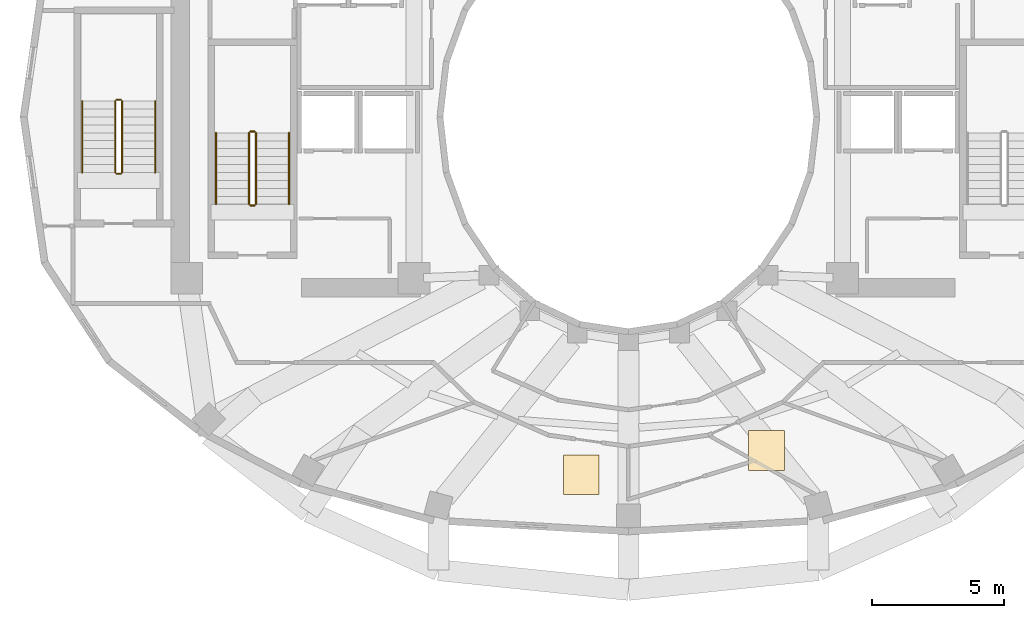
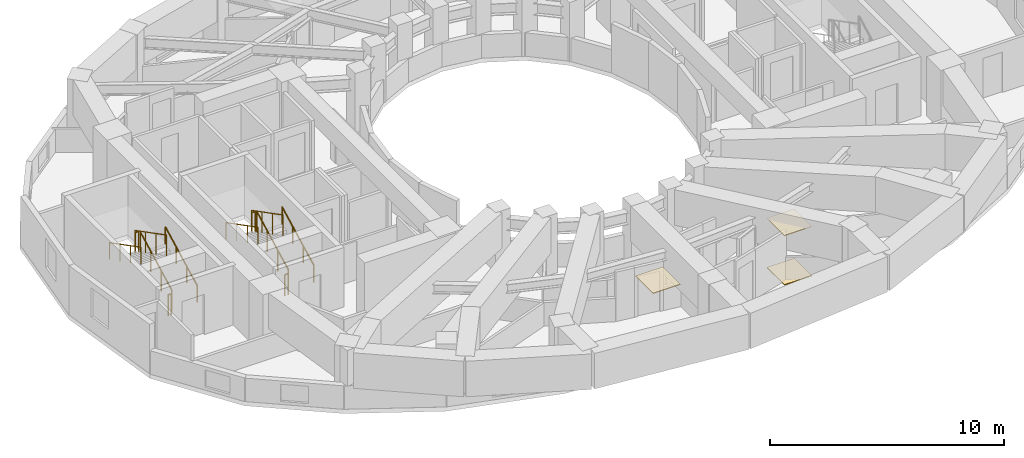
# One storey, part 8 of 9: 12 railings, 3 coverings.
"""IFC4 building model written with IfcOpenShell, lengths in metres."""

from ifc_helpers import new_model, si_unit, direction, frame, origin, origin_2d, place, context, subcontext, project, spatial, polyline, circle, outline, extrude, material, layer, layer_set, type_object, element, save


model = new_model("IFC4")

# Units and contexts
model_context = context("Model", 3, precision=1e-05, world=origin(), true_north=direction((0.0, 1.0)))
body_context = subcontext(model_context, "Body", "Model", "MODEL_VIEW")
ifc_project = project(units=[si_unit("LENGTHUNIT", "METRE"), si_unit("AREAUNIT", "SQUARE_METRE"), si_unit("VOLUMEUNIT", "CUBIC_METRE"), si_unit("PLANEANGLEUNIT", "RADIAN"), si_unit("MASSUNIT", "GRAM", prefix="KILO")], contexts=[model_context])

# Site, building, storey
site_placement = place(None, origin())
site = spatial("IfcSite", under=ifc_project, at=site_placement, CompositionType="ELEMENT")
building_placement = place(site_placement, origin())
building = spatial("IfcBuilding", under=site, at=building_placement, Name="Solvane Sanctuary Tower", CompositionType="ELEMENT")
storey_placement = place(building_placement, frame((0.0, 0.0, 168.39990234375)))
storey = spatial("IfcBuildingStorey", under=building, at=storey_placement, Name="L51", CompositionType="ELEMENT", Elevation=168.39990234375)

# Coverings
ifc_material_1 = material(Name="Acoustic Gypsum Partition Board")
ifc_layer_1 = layer(ifc_material_1, 0.02490234375, Name="Acoustic Gypsum Partition Board")
ifc_layer_set_1 = layer_set([ifc_layer_1], Name="Acoustic Gypsum Partition Board")
covering_type_1 = type_object("IfcCoveringType", Name="Covering CLG-ACOUST", PredefinedType="CEILING", material=ifc_layer_set_1)
covering_1_placement = place(storey_placement, frame((0.0, 0.0, 2.570068359375)))
element("IfcCovering", 1, at=covering_1_placement, inside=storey, type_object=covering_type_1, Name="L51 Unit Acoustic Ceiling Panel 3", PredefinedType="CEILING", context=body_context, shape_type="SweptSolid", body=[
    extrude(outline(polyline([(29.54296875, 8.717041015625), (30.89306640625, 8.717041015625), (30.89306640625, 10.217041015625), (29.54296875, 10.217041015625), (29.54296875, 8.717041015625)])), origin(), (0.0, 0.0, 1.0), 0.030029296875),
])
covering_2_placement = place(storey_placement, frame((0.0, 0.0, 2.570068359375)))
element("IfcCovering", 2, at=covering_2_placement, inside=storey, type_object=covering_type_1, Name="L51 Unit Acoustic Ceiling Panel 4", PredefinedType="CEILING", context=body_context, shape_type="SweptSolid", body=[
    extrude(outline(polyline([(36.549072265625, 9.638916015625), (37.89892578125, 9.638916015625), (37.89892578125, 11.138916015625), (36.549072265625, 11.138916015625), (36.549072265625, 9.638916015625)])), origin(), (0.0, 0.0, 1.0), 0.030029296875),
])
ifc_material_2 = material(Name="Ceramic Tile Finish")
ifc_layer_2 = layer(ifc_material_2, 0.030029296875, Name="Ceramic Tile Finish")
ifc_layer_set_2 = layer_set([ifc_layer_2], Name="Ceramic Tile Finish")
covering_type_2 = type_object("IfcCoveringType", Name="Covering FLR-TERRAZZO", PredefinedType="FLOORING", material=ifc_layer_set_2)
covering_3_placement = place(storey_placement, origin())
element("IfcCovering", 3, at=covering_3_placement, inside=storey, type_object=covering_type_2, Name="L51 Unit Terrazzo Inlay 4", PredefinedType="FLOORING", context=body_context, shape_type="SweptSolid", body=[
    extrude(outline(polyline([(36.549072265625, 9.638916015625), (37.89892578125, 9.638916015625), (37.89892578125, 11.138916015625), (36.549072265625, 11.138916015625), (36.549072265625, 9.638916015625)])), origin(), (0.0, 0.0, 1.0), 0.03515625),
])

# Railings
ifc_material_3 = material(Name="Architectural Stainless Steel 316", Category="steel")
railing_type_1 = type_object("IfcRailingType", Name="Railing GR-BALC-1150", PredefinedType="BALUSTRADE", material=ifc_material_3)
railing_1_placement = place(storey_placement, frame((17.919921875, 19.699951171875, 0.155029296875)))
element("IfcRailing", 4, at=railing_1_placement, inside=storey, type_object=railing_type_1, Name="L51 ST-1 stair guard 1", PredefinedType="BALUSTRADE", context=body_context, shape_type="SweptSolid", body=[
    extrude(circle(Radius=0.02392578125, at=origin_2d()), frame((0.0, 0.0, 1.076171875), z_axis=(0.0, 0.888419900624, 0.459031676658), x_axis=(-1.0, 0.0, 0.0)), (0.0, 0.0, 1.0), 3.0390625),
    extrude(circle(Radius=0.02099609375, at=origin_2d()), origin(), (0.0, 0.0, 1.0), 1.052001953125),
    extrude(circle(Radius=0.02099609375, at=origin_2d()), frame((0.0, 0.89990234375, 0.465087890625)), (0.0, 0.0, 1.0), 1.052001953125),
    extrude(circle(Radius=0.02099609375, at=origin_2d()), frame((0.0, 1.800048828125, 0.929931640625)), (0.0, 0.0, 1.0), 1.052001953125),
    extrude(circle(Radius=0.02099609375, at=origin_2d()), frame((0.0, 2.699951171875, 1.39501953125)), (0.0, 0.0, 1.0), 1.052001953125),
])
railing_2_placement = place(storey_placement, frame((17.8701171875, 22.449951171875, 1.550048828125)))
element("IfcRailing", 5, at=railing_2_placement, inside=storey, type_object=railing_type_1, Name="L51 ST-1 stair guard 2", PredefinedType="BALUSTRADE", context=body_context, shape_type="SweptSolid", body=[
    extrude(circle(Radius=0.02392578125, at=origin_2d()), frame((0.0, 0.0, 1.076171875), z_axis=(-1.0, 0.0, 0.0), x_axis=(0.0, -1.0, 0.0)), (0.0, 0.0, 1.0), 0.16015625),
    extrude(circle(Radius=0.02099609375, at=origin_2d()), origin(), (0.0, 0.0, 1.0), 1.052001953125),
    extrude(circle(Radius=0.02099609375, at=origin_2d()), frame((-0.16015625, 0.0, 0.0)), (0.0, 0.0, 1.0), 1.052001953125),
])
railing_3_placement = place(storey_placement, frame((17.659912109375, 22.39990234375, 1.705078125)))
element("IfcRailing", 6, at=railing_3_placement, inside=storey, type_object=railing_type_1, Name="L51 ST-1 stair guard 3", PredefinedType="BALUSTRADE", context=body_context, shape_type="SweptSolid", body=[
    extrude(circle(Radius=0.02392578125, at=origin_2d()), frame((0.0, 0.0, 1.076171875), z_axis=(0.0, -0.888419900624, 0.459031676658), x_axis=(1.0, 0.0, 0.0)), (0.0, 0.0, 1.0), 3.0390625),
    extrude(circle(Radius=0.02099609375, at=origin_2d()), origin(), (0.0, 0.0, 1.0), 1.052001953125),
    extrude(circle(Radius=0.02099609375, at=origin_2d()), frame((0.0, -0.89990234375, 0.465087890625)), (0.0, 0.0, 1.0), 1.052001953125),
    extrude(circle(Radius=0.02099609375, at=origin_2d()), frame((0.0, -1.800048828125, 0.929931640625)), (0.0, 0.0, 1.0), 1.052001953125),
    extrude(circle(Radius=0.02099609375, at=origin_2d()), frame((0.0, -2.699951171875, 1.39501953125)), (0.0, 0.0, 1.0), 1.052001953125),
])
railing_4_placement = place(storey_placement, frame((17.8701171875, 19.64990234375, 0.0)))
element("IfcRailing", 7, at=railing_4_placement, inside=storey, type_object=railing_type_1, Name="L51 ST-1 stair guard 4", PredefinedType="BALUSTRADE", context=body_context, shape_type="SweptSolid", body=[
    extrude(circle(Radius=0.02392578125, at=origin_2d()), frame((0.0, 0.0, 1.076171875), z_axis=(-1.0, 0.0, 0.0), x_axis=(0.0, -1.0, 0.0)), (0.0, 0.0, 1.0), 0.16015625),
    extrude(circle(Radius=0.02099609375, at=origin_2d()), origin(), (0.0, 0.0, 1.0), 1.052001953125),
    extrude(circle(Radius=0.02099609375, at=origin_2d()), frame((-0.16015625, 0.0, 0.0)), (0.0, 0.0, 1.0), 1.052001953125),
])
railing_5_placement = place(storey_placement, frame((12.860107421875, 20.89990234375, 0.155029296875)))
element("IfcRailing", 8, at=railing_5_placement, inside=storey, type_object=railing_type_1, Name="L51 ST-3 stair guard 1", PredefinedType="BALUSTRADE", context=body_context, shape_type="SweptSolid", body=[
    extrude(circle(Radius=0.02392578125, at=origin_2d()), frame((0.0, 0.0, 1.076171875), z_axis=(0.0, 0.888436826113, 0.458998917216), x_axis=(-1.0, 0.0, 0.0)), (0.0, 0.0, 1.0), 3.039306640625),
    extrude(circle(Radius=0.02099609375, at=origin_2d()), origin(), (0.0, 0.0, 1.0), 1.052001953125),
    extrude(circle(Radius=0.02099609375, at=origin_2d()), frame((0.0, 0.900146484375, 0.465087890625)), (0.0, 0.0, 1.0), 1.052001953125),
    extrude(circle(Radius=0.02099609375, at=origin_2d()), frame((0.0, 1.800048828125, 0.929931640625)), (0.0, 0.0, 1.0), 1.052001953125),
    extrude(circle(Radius=0.02099609375, at=origin_2d()), frame((0.0, 2.7001953125, 1.39501953125)), (0.0, 0.0, 1.0), 1.052001953125),
])
railing_6_placement = place(storey_placement, frame((12.81005859375, 23.64990234375, 1.550048828125)))
element("IfcRailing", 9, at=railing_6_placement, inside=storey, type_object=railing_type_1, Name="L51 ST-3 stair guard 2", PredefinedType="BALUSTRADE", context=body_context, shape_type="SweptSolid", body=[
    extrude(circle(Radius=0.02392578125, at=origin_2d()), frame((0.0, 0.0, 1.076171875), z_axis=(-1.0, 0.0, 0.0), x_axis=(0.0, -1.0, 0.0)), (0.0, 0.0, 1.0), 0.16015625),
    extrude(circle(Radius=0.02099609375, at=origin_2d()), origin(), (0.0, 0.0, 1.0), 1.052001953125),
    extrude(circle(Radius=0.02099609375, at=origin_2d()), frame((-0.16015625, 0.0, 0.0)), (0.0, 0.0, 1.0), 1.052001953125),
])
railing_7_placement = place(storey_placement, frame((12.60009765625, 23.60009765625, 1.705078125)))
element("IfcRailing", 10, at=railing_7_placement, inside=storey, type_object=railing_type_1, Name="L51 ST-3 stair guard 3", PredefinedType="BALUSTRADE", context=body_context, shape_type="SweptSolid", body=[
    extrude(circle(Radius=0.02392578125, at=origin_2d()), frame((0.0, 0.0, 1.076171875), z_axis=(0.0, -0.888436826113, 0.458998917216), x_axis=(1.0, 0.0, 0.0)), (0.0, 0.0, 1.0), 3.039306640625),
    extrude(circle(Radius=0.02099609375, at=origin_2d()), origin(), (0.0, 0.0, 1.0), 1.052001953125),
    extrude(circle(Radius=0.02099609375, at=origin_2d()), frame((0.0, -0.900146484375, 0.465087890625)), (0.0, 0.0, 1.0), 1.052001953125),
    extrude(circle(Radius=0.02099609375, at=origin_2d()), frame((0.0, -1.800048828125, 0.929931640625)), (0.0, 0.0, 1.0), 1.052001953125),
    extrude(circle(Radius=0.02099609375, at=origin_2d()), frame((0.0, -2.7001953125, 1.39501953125)), (0.0, 0.0, 1.0), 1.052001953125),
])
railing_8_placement = place(storey_placement, frame((12.81005859375, 20.85009765625, 0.0)))
element("IfcRailing", 11, at=railing_8_placement, inside=storey, type_object=railing_type_1, Name="L51 ST-3 stair guard 4", PredefinedType="BALUSTRADE", context=body_context, shape_type="SweptSolid", body=[
    extrude(circle(Radius=0.02392578125, at=origin_2d()), frame((0.0, 0.0, 1.076171875), z_axis=(-1.0, 0.0, 0.0), x_axis=(0.0, -1.0, 0.0)), (0.0, 0.0, 1.0), 0.16015625),
    extrude(circle(Radius=0.02099609375, at=origin_2d()), origin(), (0.0, 0.0, 1.0), 1.052001953125),
    extrude(circle(Radius=0.02099609375, at=origin_2d()), frame((-0.16015625, 0.0, 0.0)), (0.0, 0.0, 1.0), 1.052001953125),
])
railing_type_2 = type_object("IfcRailingType", Name="Railing HR-STAIR-920", PredefinedType="HANDRAIL", material=ifc_material_3)
railing_9_placement = place(storey_placement, frame((19.169921875, 19.699951171875, 0.155029296875)))
element("IfcRailing", 12, at=railing_9_placement, inside=storey, type_object=railing_type_2, Name="L51 ST-1 stair handrail 1", PredefinedType="HANDRAIL", context=body_context, shape_type="SweptSolid", body=[
    extrude(circle(Radius=0.02392578125, at=origin_2d()), frame((0.0, 0.0, 0.8759765625), z_axis=(0.0, 0.888419900624, 0.459031676658), x_axis=(-1.0, 0.0, 0.0)), (0.0, 0.0, 1.0), 3.0390625),
    extrude(circle(Radius=0.02099609375, at=origin_2d()), origin(), (0.0, 0.0, 1.0), 0.851806640625),
    extrude(circle(Radius=0.02099609375, at=origin_2d()), frame((0.0, 0.89990234375, 0.465087890625)), (0.0, 0.0, 1.0), 0.851806640625),
    extrude(circle(Radius=0.02099609375, at=origin_2d()), frame((0.0, 1.800048828125, 0.929931640625)), (0.0, 0.0, 1.0), 0.851806640625),
    extrude(circle(Radius=0.02099609375, at=origin_2d()), frame((0.0, 2.699951171875, 1.39501953125)), (0.0, 0.0, 1.0), 0.851806640625),
])
railing_10_placement = place(storey_placement, frame((16.409912109375, 22.39990234375, 1.705078125)))
element("IfcRailing", 13, at=railing_10_placement, inside=storey, type_object=railing_type_2, Name="L51 ST-1 stair handrail 2", PredefinedType="HANDRAIL", context=body_context, shape_type="SweptSolid", body=[
    extrude(circle(Radius=0.02392578125, at=origin_2d()), frame((0.0, 0.0, 0.8759765625), z_axis=(0.0, -0.888419900624, 0.459031676658), x_axis=(1.0, 0.0, 0.0)), (0.0, 0.0, 1.0), 3.0390625),
    extrude(circle(Radius=0.02099609375, at=origin_2d()), origin(), (0.0, 0.0, 1.0), 0.851806640625),
    extrude(circle(Radius=0.02099609375, at=origin_2d()), frame((0.0, -0.89990234375, 0.465087890625)), (0.0, 0.0, 1.0), 0.851806640625),
    extrude(circle(Radius=0.02099609375, at=origin_2d()), frame((0.0, -1.800048828125, 0.929931640625)), (0.0, 0.0, 1.0), 0.851806640625),
    extrude(circle(Radius=0.02099609375, at=origin_2d()), frame((0.0, -2.699951171875, 1.39501953125)), (0.0, 0.0, 1.0), 0.851806640625),
])
railing_11_placement = place(storey_placement, frame((14.110107421875, 20.89990234375, 0.155029296875)))
element("IfcRailing", 14, at=railing_11_placement, inside=storey, type_object=railing_type_2, Name="L51 ST-3 stair handrail 1", PredefinedType="HANDRAIL", context=body_context, shape_type="SweptSolid", body=[
    extrude(circle(Radius=0.02392578125, at=origin_2d()), frame((0.0, 0.0, 0.8759765625), z_axis=(0.0, 0.888436826113, 0.458998917216), x_axis=(-1.0, 0.0, 0.0)), (0.0, 0.0, 1.0), 3.039306640625),
    extrude(circle(Radius=0.02099609375, at=origin_2d()), origin(), (0.0, 0.0, 1.0), 0.851806640625),
    extrude(circle(Radius=0.02099609375, at=origin_2d()), frame((0.0, 0.900146484375, 0.465087890625)), (0.0, 0.0, 1.0), 0.851806640625),
    extrude(circle(Radius=0.02099609375, at=origin_2d()), frame((0.0, 1.800048828125, 0.929931640625)), (0.0, 0.0, 1.0), 0.851806640625),
    extrude(circle(Radius=0.02099609375, at=origin_2d()), frame((0.0, 2.7001953125, 1.39501953125)), (0.0, 0.0, 1.0), 0.851806640625),
])
railing_12_placement = place(storey_placement, frame((11.35009765625, 23.60009765625, 1.705078125)))
element("IfcRailing", 15, at=railing_12_placement, inside=storey, type_object=railing_type_2, Name="L51 ST-3 stair handrail 2", PredefinedType="HANDRAIL", context=body_context, shape_type="SweptSolid", body=[
    extrude(circle(Radius=0.02392578125, at=origin_2d()), frame((0.0, 0.0, 0.8759765625), z_axis=(0.0, -0.888436826113, 0.458998917216), x_axis=(1.0, 0.0, 0.0)), (0.0, 0.0, 1.0), 3.039306640625),
    extrude(circle(Radius=0.02099609375, at=origin_2d()), origin(), (0.0, 0.0, 1.0), 0.851806640625),
    extrude(circle(Radius=0.02099609375, at=origin_2d()), frame((0.0, -0.900146484375, 0.465087890625)), (0.0, 0.0, 1.0), 0.851806640625),
    extrude(circle(Radius=0.02099609375, at=origin_2d()), frame((0.0, -1.800048828125, 0.929931640625)), (0.0, 0.0, 1.0), 0.851806640625),
    extrude(circle(Radius=0.02099609375, at=origin_2d()), frame((0.0, -2.7001953125, 1.39501953125)), (0.0, 0.0, 1.0), 0.851806640625),
])

save(model, "model.ifc")
